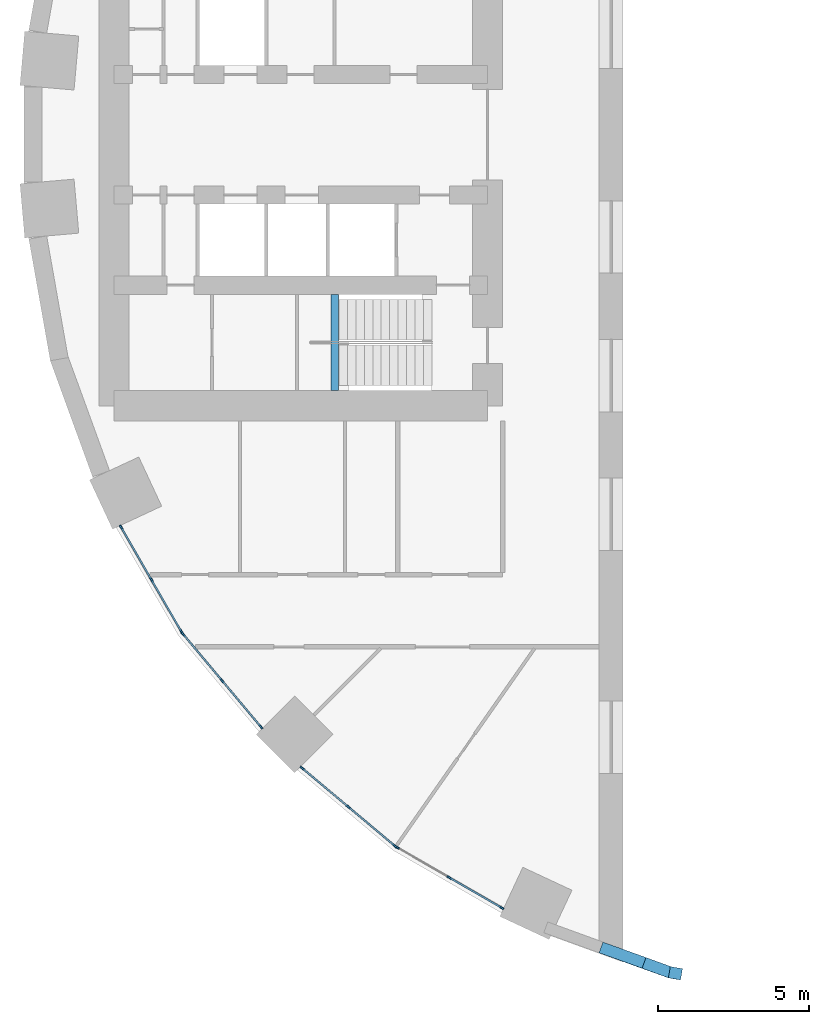
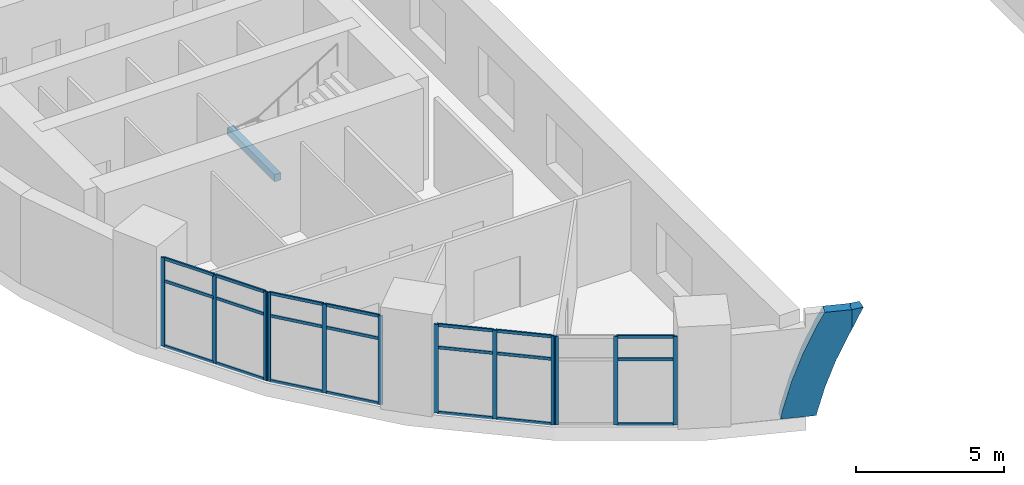
# One storey, part 2 of 13: 35 members, 1 beam, 4 elements without a shape of their own.
"""IFC4 building model written with IfcOpenShell, lengths in metres."""

from ifc_helpers import new_model, si_unit, direction, frame, origin, origin_2d, place, context, subcontext, project, spatial, polyline, rectangle, hollow_rectangle, outline, extrude, material, layer, layer_set, material_profile, profile_set, type_object, element, aggregate, save


model = new_model("IFC4")

# Units and contexts
model_context = context("Model", 3, precision=1e-05, world=origin(), true_north=direction((0.0, 1.0)))
body_context = subcontext(model_context, "Body", "Model", "MODEL_VIEW")
ifc_project = project(units=[si_unit("LENGTHUNIT", "METRE"), si_unit("AREAUNIT", "SQUARE_METRE"), si_unit("VOLUMEUNIT", "CUBIC_METRE"), si_unit("PLANEANGLEUNIT", "RADIAN"), si_unit("MASSUNIT", "GRAM", prefix="KILO")], contexts=[model_context])

# Site, building, storey
site_placement = place(None, origin())
site = spatial("IfcSite", under=ifc_project, at=site_placement, CompositionType="ELEMENT")
building_placement = place(site_placement, origin())
building = spatial("IfcBuilding", under=site, at=building_placement, Name="Saqina Gate Tower", CompositionType="ELEMENT")
storey_placement = place(building_placement, frame((0.0, 0.0, 9.199951171875)))
storey = spatial("IfcBuildingStorey", under=building, at=storey_placement, Name="L02", CompositionType="ELEMENT", Elevation=9.199951171875)

# Curtain wall, members
ifc_material_1 = material(Name="Aluminium glazing", Category="aluminium")
ifc_layer = layer(ifc_material_1, 0.159912109375)
ifc_layer_set = layer_set([ifc_layer], Name="CWT-1")
curtain_wall_type = type_object("IfcCurtainWallType", Name="CWT-1", PredefinedType="NOTDEFINED", material=ifc_layer_set)
curtain_wall_1_placement = place(storey_placement, origin())
curtain_wall_1 = element("IfcCurtainWall", 1, at=curtain_wall_1_placement, inside=storey, type_object=curtain_wall_type, Name="Podium shopfront facet 21", PredefinedType="NOTDEFINED")
ifc_material_2 = material(Name="Aluminium", Category="aluminium")
ifc_material_profile_1 = material_profile(ifc_material_2, rectangle(XDim=0.06005859375, YDim=0.159912109375, at=origin_2d()), Name="Aluminium 60x160")
ifc_profile_set_1 = profile_set([ifc_material_profile_1], Name="Aluminium")
member_type_1 = type_object("IfcMemberType", Name="CWT-1M", PredefinedType="MULLION", material=ifc_profile_set_1)
member_1_placement = place(storey_placement, frame((-25.66015625, -13.03466796875, 0.0), z_axis=(0.0, 0.0, 1.0), x_axis=(0.866017381415, 0.500013894893, 0.0)))
member_1 = element("IfcMember", 2, at=member_1_placement, type_object=member_type_1, Name="CW1-21 mullion 1", PredefinedType="MULLION", context=body_context, shape_type="SweptSolid", body=[
    extrude(rectangle(XDim=0.06005859375, YDim=0.159912109375, at=origin_2d()), origin(), (0.0, 0.0, 1.0), 3.650146484375),
])
member_2_placement = place(storey_placement, frame((-24.65771484375, -14.770751953125, 0.0), z_axis=(0.0, 0.0, 1.0), x_axis=(0.866017381415, 0.500013894893, 0.0)))
member_2 = element("IfcMember", 3, at=member_2_placement, type_object=member_type_1, Name="CW1-21 mullion 2", PredefinedType="MULLION", context=body_context, shape_type="SweptSolid", body=[
    extrude(rectangle(XDim=0.06005859375, YDim=0.159912109375, at=origin_2d()), origin(), (0.0, 0.0, 1.0), 3.650146484375),
])
member_3_placement = place(storey_placement, frame((-23.655517578125, -16.5068359375, 0.0), z_axis=(0.0, 0.0, 1.0), x_axis=(0.866017381415, 0.500013894893, 0.0)))
member_3 = element("IfcMember", 4, at=member_3_placement, type_object=member_type_1, Name="CW1-21 mullion 3", PredefinedType="MULLION", context=body_context, shape_type="SweptSolid", body=[
    extrude(rectangle(XDim=0.06005859375, YDim=0.159912109375, at=origin_2d()), origin(), (0.0, 0.0, 1.0), 3.650146484375),
])

curtain_wall_2_placement = place(storey_placement, origin())
curtain_wall_2 = element("IfcCurtainWall", 5, at=curtain_wall_2_placement, inside=storey, type_object=curtain_wall_type, Name="Podium shopfront facet 22", PredefinedType="NOTDEFINED")
member_4_placement = place(storey_placement, frame((-23.601806640625, -16.583251953125, 0.0), z_axis=(0.0, 0.0, 1.0), x_axis=(0.766051396473, 0.642779322911, 0.0)))
member_4 = element("IfcMember", 6, at=member_4_placement, type_object=member_type_1, Name="CW1-22 mullion 1", PredefinedType="MULLION", context=body_context, shape_type="SweptSolid", body=[
    extrude(rectangle(XDim=0.06005859375, YDim=0.159912109375, at=origin_2d()), origin(), (0.0, 0.0, 1.0), 3.650146484375),
])
member_5_placement = place(storey_placement, frame((-22.3134765625, -18.118896484375, 0.0), z_axis=(0.0, 0.0, 1.0), x_axis=(0.766051396473, 0.642779322911, 0.0)))
member_5 = element("IfcMember", 7, at=member_5_placement, type_object=member_type_1, Name="CW1-22 mullion 2", PredefinedType="MULLION", context=body_context, shape_type="SweptSolid", body=[
    extrude(rectangle(XDim=0.06005859375, YDim=0.159912109375, at=origin_2d()), origin(), (0.0, 0.0, 1.0), 3.650146484375),
])
member_6_placement = place(storey_placement, frame((-21.02490234375, -19.654296875, 0.0), z_axis=(0.0, 0.0, 1.0), x_axis=(0.766051396473, 0.642779322911, 0.0)))
member_6 = element("IfcMember", 8, at=member_6_placement, type_object=member_type_1, Name="CW1-22 mullion 3", PredefinedType="MULLION", context=body_context, shape_type="SweptSolid", body=[
    extrude(rectangle(XDim=0.06005859375, YDim=0.159912109375, at=origin_2d()), origin(), (0.0, 0.0, 1.0), 3.650146484375),
])

curtain_wall_3_placement = place(storey_placement, origin())
curtain_wall_3 = element("IfcCurtainWall", 9, at=curtain_wall_3_placement, inside=storey, type_object=curtain_wall_type, Name="Podium shopfront facet 23", PredefinedType="NOTDEFINED")
member_7_placement = place(storey_placement, frame((-19.654296875, -21.02490234375, 0.0), z_axis=(0.0, 0.0, 1.0), x_axis=(0.642779322911, 0.766051396473, 0.0)))
member_7 = element("IfcMember", 10, at=member_7_placement, type_object=member_type_1, Name="CW1-23 mullion 1", PredefinedType="MULLION", context=body_context, shape_type="SweptSolid", body=[
    extrude(rectangle(XDim=0.06005859375, YDim=0.159912109375, at=origin_2d()), origin(), (0.0, 0.0, 1.0), 3.650146484375),
])
member_8_placement = place(storey_placement, frame((-18.118896484375, -22.3134765625, 0.0), z_axis=(0.0, 0.0, 1.0), x_axis=(0.642779322911, 0.766051396473, 0.0)))
member_8 = element("IfcMember", 11, at=member_8_placement, type_object=member_type_1, Name="CW1-23 mullion 2", PredefinedType="MULLION", context=body_context, shape_type="SweptSolid", body=[
    extrude(rectangle(XDim=0.06005859375, YDim=0.159912109375, at=origin_2d()), origin(), (0.0, 0.0, 1.0), 3.650146484375),
])
member_9_placement = place(storey_placement, frame((-16.583251953125, -23.601806640625, 0.0), z_axis=(0.0, 0.0, 1.0), x_axis=(0.642779322911, 0.766051396473, 0.0)))
member_9 = element("IfcMember", 12, at=member_9_placement, type_object=member_type_1, Name="CW1-23 mullion 3", PredefinedType="MULLION", context=body_context, shape_type="SweptSolid", body=[
    extrude(rectangle(XDim=0.06005859375, YDim=0.159912109375, at=origin_2d()), origin(), (0.0, 0.0, 1.0), 3.650146484375),
])

curtain_wall_4_placement = place(storey_placement, origin())
curtain_wall_4 = element("IfcCurtainWall", 13, at=curtain_wall_4_placement, inside=storey, type_object=curtain_wall_type, Name="Podium shopfront facet 24", PredefinedType="NOTDEFINED")
member_10_placement = place(storey_placement, frame((-16.5068359375, -23.655517578125, 0.0), z_axis=(0.0, 0.0, 1.0), x_axis=(0.500013894893, 0.866017381415, 0.0)))
member_10 = element("IfcMember", 14, at=member_10_placement, type_object=member_type_1, Name="CW1-24 mullion 1", PredefinedType="MULLION", context=body_context, shape_type="SweptSolid", body=[
    extrude(rectangle(XDim=0.06005859375, YDim=0.159912109375, at=origin_2d()), origin(), (0.0, 0.0, 1.0), 3.650146484375),
])
member_11_placement = place(storey_placement, frame((-14.770751953125, -24.65771484375, 0.0), z_axis=(0.0, 0.0, 1.0), x_axis=(0.500013894893, 0.866017381415, 0.0)))
member_11 = element("IfcMember", 15, at=member_11_placement, type_object=member_type_1, Name="CW1-24 mullion 2", PredefinedType="MULLION", context=body_context, shape_type="SweptSolid", body=[
    extrude(rectangle(XDim=0.06005859375, YDim=0.159912109375, at=origin_2d()), origin(), (0.0, 0.0, 1.0), 3.650146484375),
])
member_12_placement = place(storey_placement, frame((-13.03466796875, -25.66015625, 0.0), z_axis=(0.0, 0.0, 1.0), x_axis=(0.500013894893, 0.866017381415, 0.0)))
member_12 = element("IfcMember", 16, at=member_12_placement, type_object=member_type_1, Name="CW1-24 mullion 3", PredefinedType="MULLION", context=body_context, shape_type="SweptSolid", body=[
    extrude(rectangle(XDim=0.06005859375, YDim=0.159912109375, at=origin_2d()), origin(), (0.0, 0.0, 1.0), 3.650146484375),
])

# Member
ifc_material_3 = material(Name="Aluminium", Category="aluminium")
ifc_material_profile_2 = material_profile(ifc_material_3, rectangle(XDim=0.06005859375, YDim=0.1201171875, at=origin_2d()), Name="Aluminium 60x120")
ifc_profile_set_2 = profile_set([ifc_material_profile_2], Name="Aluminium")
member_type_2 = type_object("IfcMemberType", Name="CWT-1T", PredefinedType="USERDEFINED", material=ifc_profile_set_2)
member_13_placement = place(storey_placement, frame((-25.64501953125, -13.060791015625, 0.030029296875), z_axis=(0.499947064232, -0.866055964107, 0.0), x_axis=(0.866055964107, 0.499947064232, 0.0)))
member_13 = element("IfcMember", 17, at=member_13_placement, type_object=member_type_2, Name="CW1-21 transom 1.1", ObjectType="TRANSOM", PredefinedType="USERDEFINED", context=body_context, shape_type="SweptSolid", body=[
    extrude(rectangle(XDim=0.06005859375, YDim=0.1201171875, at=origin_2d()), origin(), (0.0, 0.0, 1.0), 1.944580078125),
])

member_14_placement = place(storey_placement, frame((-25.64501953125, -13.060791015625, 2.699951171875), z_axis=(0.499947064232, -0.866055964107, 0.0), x_axis=(0.866055964107, 0.499947064232, 0.0)))
member_14 = element("IfcMember", 18, at=member_14_placement, type_object=member_type_2, Name="CW1-21 transom 1.2", ObjectType="TRANSOM", PredefinedType="USERDEFINED", context=body_context, shape_type="SweptSolid", body=[
    extrude(rectangle(XDim=0.06005859375, YDim=0.1201171875, at=origin_2d()), origin(), (0.0, 0.0, 1.0), 1.944580078125),
])

member_15_placement = place(storey_placement, frame((-25.64501953125, -13.060791015625, 3.6201171875), z_axis=(0.499947064232, -0.866055964107, 0.0), x_axis=(0.866055964107, 0.499947064232, 0.0)))
member_15 = element("IfcMember", 19, at=member_15_placement, type_object=member_type_2, Name="CW1-21 transom 1.3", ObjectType="TRANSOM", PredefinedType="USERDEFINED", context=body_context, shape_type="SweptSolid", body=[
    extrude(rectangle(XDim=0.06005859375, YDim=0.1201171875, at=origin_2d()), origin(), (0.0, 0.0, 1.0), 1.944580078125),
])

member_16_placement = place(storey_placement, frame((-24.642822265625, -14.796630859375, 0.030029296875), z_axis=(0.500041225824, -0.866001600736, 0.0), x_axis=(0.866001600736, 0.500041225824, 0.0)))
member_16 = element("IfcMember", 20, at=member_16_placement, type_object=member_type_2, Name="CW1-21 transom 2.1", ObjectType="TRANSOM", PredefinedType="USERDEFINED", context=body_context, shape_type="SweptSolid", body=[
    extrude(rectangle(XDim=0.06005859375, YDim=0.1201171875, at=origin_2d()), origin(), (0.0, 0.0, 1.0), 1.944580078125),
])

member_17_placement = place(storey_placement, frame((-24.642822265625, -14.796630859375, 2.699951171875), z_axis=(0.500041225824, -0.866001600736, 0.0), x_axis=(0.866001600736, 0.500041225824, 0.0)))
member_17 = element("IfcMember", 21, at=member_17_placement, type_object=member_type_2, Name="CW1-21 transom 2.2", ObjectType="TRANSOM", PredefinedType="USERDEFINED", context=body_context, shape_type="SweptSolid", body=[
    extrude(rectangle(XDim=0.06005859375, YDim=0.1201171875, at=origin_2d()), origin(), (0.0, 0.0, 1.0), 1.944580078125),
])

member_18_placement = place(storey_placement, frame((-24.642822265625, -14.796630859375, 3.6201171875), z_axis=(0.500041225824, -0.866001600736, 0.0), x_axis=(0.866001600736, 0.500041225824, 0.0)))
member_18 = element("IfcMember", 22, at=member_18_placement, type_object=member_type_2, Name="CW1-21 transom 2.3", ObjectType="TRANSOM", PredefinedType="USERDEFINED", context=body_context, shape_type="SweptSolid", body=[
    extrude(rectangle(XDim=0.06005859375, YDim=0.1201171875, at=origin_2d()), origin(), (0.0, 0.0, 1.0), 1.944580078125),
])

aggregate(curtain_wall_1, [member_1, member_2, member_3, member_13, member_14, member_15, member_16, member_17, member_18])

member_19_placement = place(storey_placement, frame((-23.58251953125, -16.606201171875, 0.030029296875), z_axis=(0.642700228444, -0.766117756196, 0.0), x_axis=(0.766117756196, 0.642700228444, 0.0)))
member_19 = element("IfcMember", 23, at=member_19_placement, type_object=member_type_2, Name="CW1-22 transom 1.1", ObjectType="TRANSOM", PredefinedType="USERDEFINED", context=body_context, shape_type="SweptSolid", body=[
    extrude(rectangle(XDim=0.06005859375, YDim=0.1201171875, at=origin_2d()), origin(), (0.0, 0.0, 1.0), 1.944580078125),
])

member_20_placement = place(storey_placement, frame((-23.58251953125, -16.606201171875, 2.699951171875), z_axis=(0.642700228444, -0.766117756196, 0.0), x_axis=(0.766117756196, 0.642700228444, 0.0)))
member_20 = element("IfcMember", 24, at=member_20_placement, type_object=member_type_2, Name="CW1-22 transom 1.2", ObjectType="TRANSOM", PredefinedType="USERDEFINED", context=body_context, shape_type="SweptSolid", body=[
    extrude(rectangle(XDim=0.06005859375, YDim=0.1201171875, at=origin_2d()), origin(), (0.0, 0.0, 1.0), 1.944580078125),
])

member_21_placement = place(storey_placement, frame((-23.58251953125, -16.606201171875, 3.6201171875), z_axis=(0.642700228444, -0.766117756196, 0.0), x_axis=(0.766117756196, 0.642700228444, 0.0)))
member_21 = element("IfcMember", 25, at=member_21_placement, type_object=member_type_2, Name="CW1-22 transom 1.3", ObjectType="TRANSOM", PredefinedType="USERDEFINED", context=body_context, shape_type="SweptSolid", body=[
    extrude(rectangle(XDim=0.06005859375, YDim=0.1201171875, at=origin_2d()), origin(), (0.0, 0.0, 1.0), 1.944580078125),
])

member_22_placement = place(storey_placement, frame((-22.294189453125, -18.141845703125, 0.030029296875), z_axis=(0.642835731235, -0.76600406177, 0.0), x_axis=(0.76600406177, 0.642835731235, 0.0)))
member_22 = element("IfcMember", 26, at=member_22_placement, type_object=member_type_2, Name="CW1-22 transom 2.1", ObjectType="TRANSOM", PredefinedType="USERDEFINED", context=body_context, shape_type="SweptSolid", body=[
    extrude(rectangle(XDim=0.06005859375, YDim=0.1201171875, at=origin_2d()), origin(), (0.0, 0.0, 1.0), 1.944580078125),
])

member_23_placement = place(storey_placement, frame((-22.294189453125, -18.141845703125, 2.699951171875), z_axis=(0.642835731235, -0.76600406177, 0.0), x_axis=(0.76600406177, 0.642835731235, 0.0)))
member_23 = element("IfcMember", 27, at=member_23_placement, type_object=member_type_2, Name="CW1-22 transom 2.2", ObjectType="TRANSOM", PredefinedType="USERDEFINED", context=body_context, shape_type="SweptSolid", body=[
    extrude(rectangle(XDim=0.06005859375, YDim=0.1201171875, at=origin_2d()), origin(), (0.0, 0.0, 1.0), 1.944580078125),
])

member_24_placement = place(storey_placement, frame((-22.294189453125, -18.141845703125, 3.6201171875), z_axis=(0.642835731235, -0.76600406177, 0.0), x_axis=(0.76600406177, 0.642835731235, 0.0)))
member_24 = element("IfcMember", 28, at=member_24_placement, type_object=member_type_2, Name="CW1-22 transom 2.3", ObjectType="TRANSOM", PredefinedType="USERDEFINED", context=body_context, shape_type="SweptSolid", body=[
    extrude(rectangle(XDim=0.06005859375, YDim=0.1201171875, at=origin_2d()), origin(), (0.0, 0.0, 1.0), 1.944580078125),
])

aggregate(curtain_wall_2, [member_4, member_5, member_6, member_19, member_20, member_21, member_22, member_23, member_24])

member_25_placement = place(storey_placement, frame((-19.63134765625, -21.044189453125, 0.030029296875), z_axis=(0.76600406177, -0.642835731235, 0.0), x_axis=(0.642835731235, 0.76600406177, 0.0)))
member_25 = element("IfcMember", 29, at=member_25_placement, type_object=member_type_2, Name="CW1-23 transom 1.1", ObjectType="TRANSOM", PredefinedType="USERDEFINED", context=body_context, shape_type="SweptSolid", body=[
    extrude(rectangle(XDim=0.06005859375, YDim=0.1201171875, at=origin_2d()), origin(), (0.0, 0.0, 1.0), 1.944580078125),
])

member_26_placement = place(storey_placement, frame((-19.63134765625, -21.044189453125, 2.699951171875), z_axis=(0.76600406177, -0.642835731235, 0.0), x_axis=(0.642835731235, 0.76600406177, 0.0)))
member_26 = element("IfcMember", 30, at=member_26_placement, type_object=member_type_2, Name="CW1-23 transom 1.2", ObjectType="TRANSOM", PredefinedType="USERDEFINED", context=body_context, shape_type="SweptSolid", body=[
    extrude(rectangle(XDim=0.06005859375, YDim=0.1201171875, at=origin_2d()), origin(), (0.0, 0.0, 1.0), 1.944580078125),
])

member_27_placement = place(storey_placement, frame((-19.63134765625, -21.044189453125, 3.6201171875), z_axis=(0.76600406177, -0.642835731235, 0.0), x_axis=(0.642835731235, 0.76600406177, 0.0)))
member_27 = element("IfcMember", 31, at=member_27_placement, type_object=member_type_2, Name="CW1-23 transom 1.3", ObjectType="TRANSOM", PredefinedType="USERDEFINED", context=body_context, shape_type="SweptSolid", body=[
    extrude(rectangle(XDim=0.06005859375, YDim=0.1201171875, at=origin_2d()), origin(), (0.0, 0.0, 1.0), 1.944580078125),
])

member_28_placement = place(storey_placement, frame((-18.095947265625, -22.332763671875, 0.030029296875), z_axis=(0.766117756196, -0.642700228444, 0.0), x_axis=(0.642700228444, 0.766117756196, 0.0)))
member_28 = element("IfcMember", 32, at=member_28_placement, type_object=member_type_2, Name="CW1-23 transom 2.1", ObjectType="TRANSOM", PredefinedType="USERDEFINED", context=body_context, shape_type="SweptSolid", body=[
    extrude(rectangle(XDim=0.06005859375, YDim=0.1201171875, at=origin_2d()), origin(), (0.0, 0.0, 1.0), 1.944580078125),
])

member_29_placement = place(storey_placement, frame((-18.095947265625, -22.332763671875, 2.699951171875), z_axis=(0.766117756196, -0.642700228444, 0.0), x_axis=(0.642700228444, 0.766117756196, 0.0)))
member_29 = element("IfcMember", 33, at=member_29_placement, type_object=member_type_2, Name="CW1-23 transom 2.2", ObjectType="TRANSOM", PredefinedType="USERDEFINED", context=body_context, shape_type="SweptSolid", body=[
    extrude(rectangle(XDim=0.06005859375, YDim=0.1201171875, at=origin_2d()), origin(), (0.0, 0.0, 1.0), 1.944580078125),
])

member_30_placement = place(storey_placement, frame((-18.095947265625, -22.332763671875, 3.6201171875), z_axis=(0.766117756196, -0.642700228444, 0.0), x_axis=(0.642700228444, 0.766117756196, 0.0)))
member_30 = element("IfcMember", 34, at=member_30_placement, type_object=member_type_2, Name="CW1-23 transom 2.3", ObjectType="TRANSOM", PredefinedType="USERDEFINED", context=body_context, shape_type="SweptSolid", body=[
    extrude(rectangle(XDim=0.06005859375, YDim=0.1201171875, at=origin_2d()), origin(), (0.0, 0.0, 1.0), 1.944580078125),
])

aggregate(curtain_wall_3, [member_7, member_8, member_9, member_25, member_26, member_27, member_28, member_29, member_30])

member_31_placement = place(storey_placement, frame((-14.744873046875, -24.6728515625, 0.030029296875), z_axis=(0.866055964107, -0.499947064232, 0.0), x_axis=(0.499947064232, 0.866055964107, 0.0)))
member_31 = element("IfcMember", 35, at=member_31_placement, type_object=member_type_2, Name="CW1-24 transom 2.1", ObjectType="TRANSOM", PredefinedType="USERDEFINED", context=body_context, shape_type="SweptSolid", body=[
    extrude(rectangle(XDim=0.06005859375, YDim=0.1201171875, at=origin_2d()), origin(), (0.0, 0.0, 1.0), 1.944580078125),
])

member_32_placement = place(storey_placement, frame((-14.744873046875, -24.6728515625, 2.699951171875), z_axis=(0.866055964107, -0.499947064232, 0.0), x_axis=(0.499947064232, 0.866055964107, 0.0)))
member_32 = element("IfcMember", 36, at=member_32_placement, type_object=member_type_2, Name="CW1-24 transom 2.2", ObjectType="TRANSOM", PredefinedType="USERDEFINED", context=body_context, shape_type="SweptSolid", body=[
    extrude(rectangle(XDim=0.06005859375, YDim=0.1201171875, at=origin_2d()), origin(), (0.0, 0.0, 1.0), 1.944580078125),
])

member_33_placement = place(storey_placement, frame((-14.744873046875, -24.6728515625, 3.6201171875), z_axis=(0.866055964107, -0.499947064232, 0.0), x_axis=(0.499947064232, 0.866055964107, 0.0)))
member_33 = element("IfcMember", 37, at=member_33_placement, type_object=member_type_2, Name="CW1-24 transom 2.3", ObjectType="TRANSOM", PredefinedType="USERDEFINED", context=body_context, shape_type="SweptSolid", body=[
    extrude(rectangle(XDim=0.06005859375, YDim=0.1201171875, at=origin_2d()), origin(), (0.0, 0.0, 1.0), 1.944580078125),
])

aggregate(curtain_wall_4, [member_10, member_11, member_12, member_31, member_32, member_33])

# Beam
ifc_material_4 = material(Name="Concrete C40/50", Category="concrete")
ifc_material_profile_3 = material_profile(ifc_material_4, rectangle(XDim=0.25, YDim=0.300048828125, at=origin_2d()), Name="STAIR LANDING BEAM")
ifc_profile_set_3 = profile_set([ifc_material_profile_3], Name="Concrete C40/50")
beam_type = type_object("IfcBeamType", Name="STAIR LANDING BEAM", PredefinedType="BEAM", material=ifc_profile_set_3)
beam_placement = place(storey_placement, frame((-18.580078125, -8.5, 1.699951171875), z_axis=(0.0, 1.0, 0.0), x_axis=(-1.0, 0.0, 0.0)))
element("IfcBeam", 38, at=beam_placement, inside=storey, type_object=beam_type, Name="EXIT STAIR 4 LANDING BEAM", PredefinedType="BEAM", context=body_context, shape_type="SweptSolid", body=[
    extrude(rectangle(XDim=0.25, YDim=0.300048828125, at=origin_2d()), origin(), (0.0, 0.0, 1.0), 3.199951171875),
])

# Members
ifc_material_5 = material(Name="Steel S355", Category="steel")
ifc_material_profile_4 = material_profile(ifc_material_5, hollow_rectangle(XDim=1.199951171875, YDim=0.3798828125, WallThickness=0.030029296875, at=origin_2d()), Name="BOX 1200x380x30")
ifc_profile_set_4 = profile_set([ifc_material_profile_4], Name="Steel S355")
member_type_3 = type_object("IfcMemberType", Name="STR-ARCH RIB-BOX 1200x380x30", PredefinedType="USERDEFINED", material=ifc_profile_set_4)
member_34_placement = place(storey_placement, frame((-8.99365234375, -27.45068359375, 0.0), z_axis=(-0.341992935206, -0.939700441613, 0.001977953873), x_axis=(-0.93970227962, 0.341993604731, 2.86976e-07)))
element("IfcMember", 39, at=member_34_placement, inside=storey, type_object=member_type_3, Name="ARCH RIB S L02 facet 25", ObjectType="ARCH RIB", PredefinedType="USERDEFINED", context=body_context, shape_type="SweptSolid", body=[
    extrude(outline(polyline([(0.0, 0.0), (0.8613035492799312, 0.0), (0.7955165862585856, -0.34277389323152707), (0.48247550970167413, -1.4948757120333356), (0.08324780756221871, -2.622319776182503), (-0.4005605853282565, -3.719245565641661), (-0.6568674742171653, -4.199959663703063), (-1.5900696787529167, -4.19996005230541), (-1.590028470191788, -3.6501538410928434), (-1.5901955310705773, -3.3999092824691357), (-1.4806893913525017, -3.1943425290572476), (-1.0329450123699564, -2.1792039658932723), (-0.663753223893186, -1.1367212338449353), (-0.3743446164925865, -0.07202164832175881), (-0.36059900744670587, -1.698680917925461e-07), (0.0, 0.0)])), origin(), (0.0, 0.0, -1.0), 0.3798828125),
])
member_35_placement = place(storey_placement, frame((-7.501220703125, -27.986572265625, 3.650146484375), z_axis=(-0.17403185595, -0.98473719871, 0.002358514483), x_axis=(2.9960038e-05, 0.002389768305, 0.999997144051)))
element("IfcMember", 40, at=member_35_placement, inside=storey, type_object=member_type_3, Name="ARCH RIB S L02 facet 26", ObjectType="ARCH RIB", PredefinedType="USERDEFINED", context=body_context, shape_type="SweptSolid", body=[
    extrude(outline(polyline([(0.0, 0.0), (0.5498060344834047, 0.0), (0.5496483224437653, -0.40904887289762704), (0.5264598706536766, -0.395194275369643), (-0.2502446001339753, 0.0002521313572819691), (0.0, 0.0)])), origin(), (0.0, 0.0, -1.0), 0.3798828125),
])

save(model, "model.ifc")
